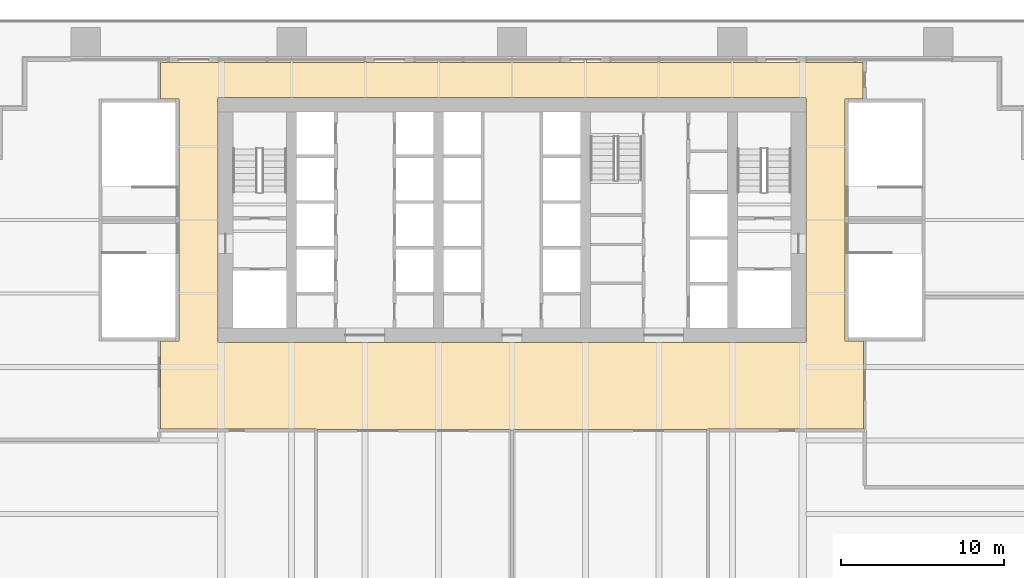
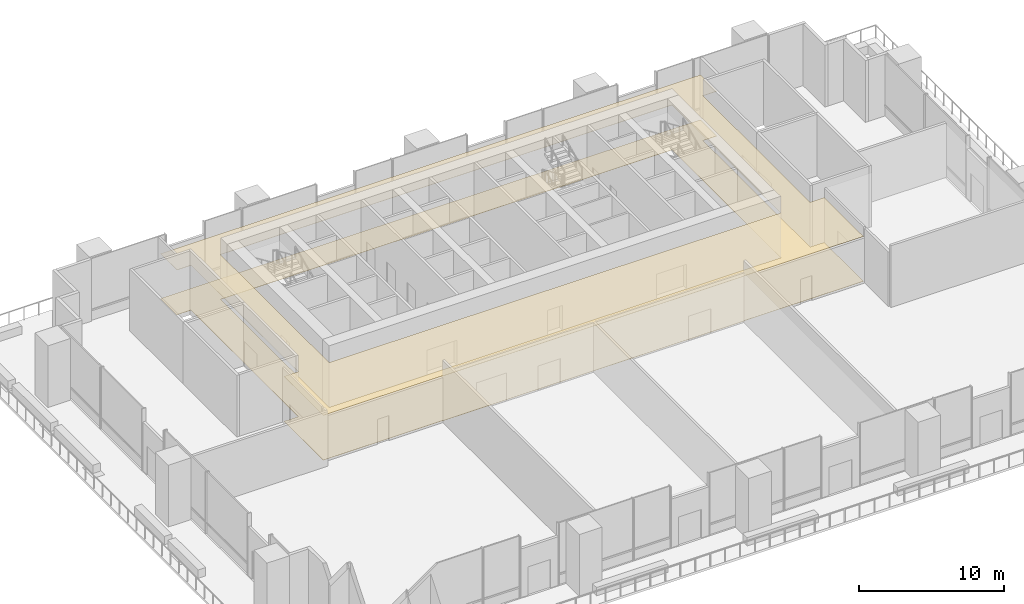
# One storey, part 14 of 16: 2 coverings.
"""IFC4 building model written with IfcOpenShell, lengths in metres."""

from ifc_helpers import new_model, si_unit, direction, frame, origin, place, context, subcontext, project, spatial, polyline, outline, extrude, material, layer, layer_set, type_object, element, save


model = new_model("IFC4")

# Units and contexts
model_context = context("Model", 3, precision=1e-05, world=origin(), true_north=direction((0.0, 1.0)))
body_context = subcontext(model_context, "Body", "Model", "MODEL_VIEW")
ifc_project = project(units=[si_unit("LENGTHUNIT", "METRE"), si_unit("AREAUNIT", "SQUARE_METRE"), si_unit("VOLUMEUNIT", "CUBIC_METRE"), si_unit("PLANEANGLEUNIT", "RADIAN"), si_unit("MASSUNIT", "GRAM", prefix="KILO")], contexts=[model_context])

# Site, building, storey
site_placement = place(None, origin())
site = spatial("IfcSite", under=ifc_project, at=site_placement, CompositionType="ELEMENT")
building_placement = place(site_placement, origin())
building = spatial("IfcBuilding", under=site, at=building_placement, Name="Rattan Terrace Tower", CompositionType="ELEMENT")
storey_placement = place(building_placement, frame((0.0, 0.0, 27.0)))
storey = spatial("IfcBuildingStorey", under=building, at=storey_placement, Name="L05", CompositionType="ELEMENT", Elevation=27.0)

# Coverings
ifc_material_1 = material(Name="Polished limestone", Category="masonry")
ifc_layer_1 = layer(ifc_material_1, 0.02001953125)
ifc_layer_set_1 = layer_set([ifc_layer_1], Name="Lobby Floor Finish Stone 20")
covering_type_1 = type_object("IfcCoveringType", Name="Lobby Floor Finish Stone 20", PredefinedType="FLOORING", material=ifc_layer_set_1)
covering_1_placement = place(storey_placement, origin())
element("IfcCovering", 1, at=covering_1_placement, inside=storey, type_object=covering_type_1, Name="Floor finish L05-101", PredefinedType="FLOORING", context=body_context, shape_type="SweptSolid", body=[
    extrude(outline(polyline([(-21.52490234375, 9.659912109375), (-21.52490234375, 7.39990234375), (-20.39990234375, 7.39990234375), (-20.39990234375, -7.39990234375), (-21.52490234375, -7.39990234375), (-21.52490234375, -12.800048828125), (-11.97998046875, -12.800048828125), (-11.97998046875, -12.824951171875), (11.97998046875, -12.824951171875), (11.97998046875, -12.800048828125), (21.52490234375, -12.800048828125), (21.52490234375, -7.39990234375), (20.39990234375, -7.39990234375), (20.39990234375, 7.39990234375), (21.5, 7.39990234375), (21.5, 9.659912109375), (-21.52490234375, 9.659912109375)]), holes=[polyline([(18.0, 7.5), (-18.0, 7.5), (-18.0, -7.5), (18.0, -7.5), (18.0, 7.5)])]), origin(), (0.0, 0.0, 1.0), 0.02001953125),
])
ifc_material_2 = material(Name="Gypsum board, painted")
ifc_layer_2 = layer(ifc_material_2, 0.02490234375)
ifc_layer_set_2 = layer_set([ifc_layer_2], Name="Suspended Ceiling Gypsum 25")
covering_type_2 = type_object("IfcCoveringType", Name="Suspended Ceiling Gypsum 25", PredefinedType="CEILING", material=ifc_layer_set_2)
covering_2_placement = place(storey_placement, frame((0.0, 0.0, 3.77490234375)))
element("IfcCovering", 2, at=covering_2_placement, inside=storey, type_object=covering_type_2, Name="Ceiling L05-101", PredefinedType="CEILING", context=body_context, shape_type="SweptSolid", body=[
    extrude(outline(polyline([(-21.52490234375, 9.659912109375), (-21.52490234375, 7.39990234375), (-20.39990234375, 7.39990234375), (-20.39990234375, -7.39990234375), (-21.52490234375, -7.39990234375), (-21.52490234375, -12.800048828125), (-11.97998046875, -12.800048828125), (-11.97998046875, -12.824951171875), (11.97998046875, -12.824951171875), (11.97998046875, -12.800048828125), (21.52490234375, -12.800048828125), (21.52490234375, -7.39990234375), (20.39990234375, -7.39990234375), (20.39990234375, 7.39990234375), (21.5, 7.39990234375), (21.5, 9.659912109375), (-21.52490234375, 9.659912109375)]), holes=[polyline([(18.0, 7.5), (-18.0, 7.5), (-18.0, -7.5), (18.0, -7.5), (18.0, 7.5)])]), origin(), (0.0, 0.0, 1.0), 0.025146484375),
])

save(model, "model.ifc")
